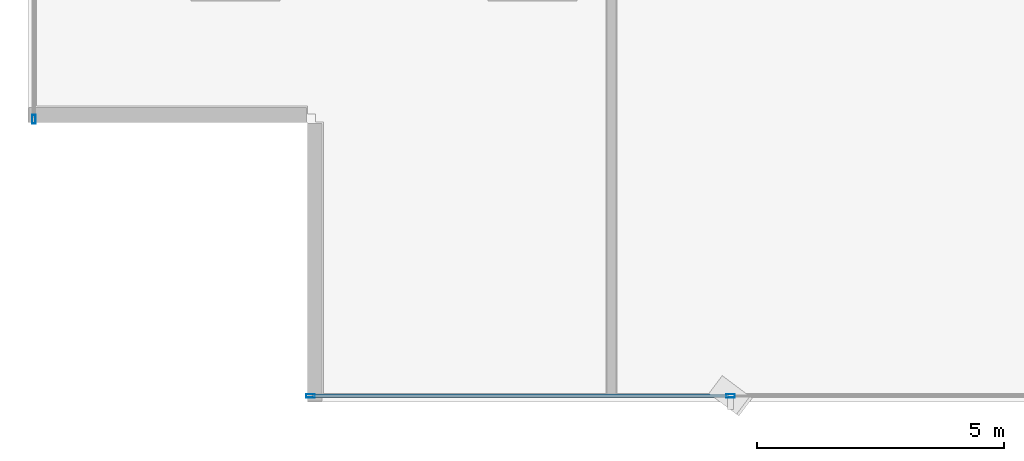
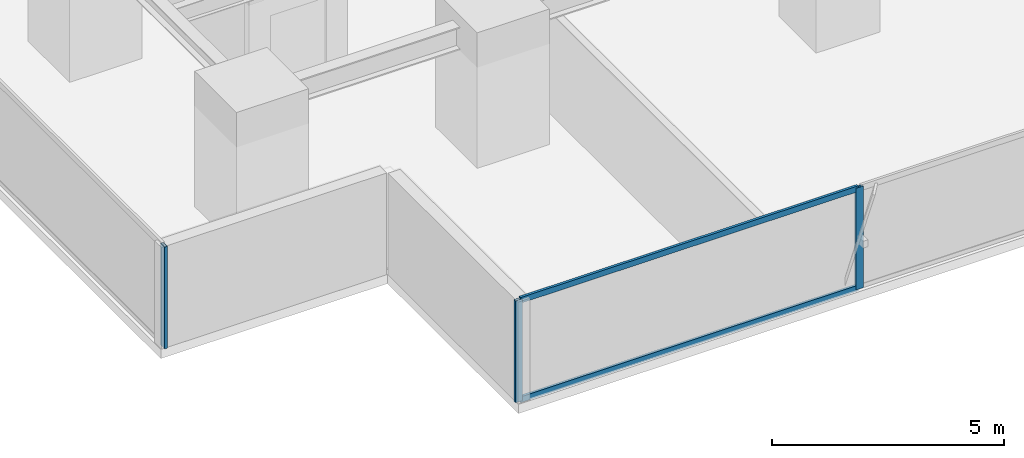
# One storey, part 2 of 33: 5 members, 2 elements without a shape of their own.
"""IFC4 building model written with IfcOpenShell, lengths in metres."""

from ifc_helpers import new_model, si_unit, direction, frame, origin, origin_2d, place, context, subcontext, project, spatial, hollow_rectangle, extrude, source, transform, mapped, material, layer, layer_set, material_profile, profile_set, type_object, element, aggregate, save


model = new_model("IFC4")

# Units and contexts
model_context = context("Model", 3, precision=1e-05, world=origin(), true_north=direction((0.0, 1.0)))
body_context = subcontext(model_context, "Body", "Model", "MODEL_VIEW")
ifc_project = project(units=[si_unit("LENGTHUNIT", "METRE"), si_unit("AREAUNIT", "SQUARE_METRE"), si_unit("VOLUMEUNIT", "CUBIC_METRE"), si_unit("PLANEANGLEUNIT", "RADIAN"), si_unit("MASSUNIT", "GRAM", prefix="KILO")], contexts=[model_context])

# Site, building, storey
site_placement = place(None, origin())
site = spatial("IfcSite", under=ifc_project, at=site_placement, CompositionType="ELEMENT")
building_placement = place(site_placement, origin())
building = spatial("IfcBuilding", under=site, at=building_placement, Name="Sumidabori Civic Tower", CompositionType="ELEMENT")
storey_placement = place(building_placement, frame((0.0, 0.0, 66.800048828125)))
storey = spatial("IfcBuildingStorey", under=building, at=storey_placement, Name="L17", CompositionType="ELEMENT", Elevation=66.800048828125)

# Curtain wall, members
ifc_material = material(Name="Anodised Bronze Aluminium AW-6063-T6", Category="aluminium")
ifc_layer = layer(ifc_material, 0.179931640625, Name="Anodised Bronze Aluminium AW-6063-T6")
ifc_layer_set = layer_set([ifc_layer], Name="Anodised Bronze Aluminium AW-6063-T6")
curtain_wall_type = type_object("IfcCurtainWallType", Name="CW-SYS-2", PredefinedType="NOTDEFINED", material=ifc_layer_set)
curtain_wall_1_placement = place(storey_placement, origin())
curtain_wall_1 = element("IfcCurtainWall", 1, at=curtain_wall_1_placement, inside=storey, type_object=curtain_wall_type, Name="Curtain Wall CW:L17:R01", PredefinedType="NOTDEFINED")
ifc_material_profile_1 = material_profile(ifc_material, hollow_rectangle(XDim=0.06494140625, YDim=0.14990234375, WallThickness=0.0048828125, at=origin_2d()), Name="ALU TRANSOM 150x65")
ifc_profile_set_1 = profile_set([ifc_material_profile_1], Name="Anodised Bronze Aluminium AW-6063-T6")
member_type_1 = type_object("IfcMemberType", Name="CW-TRN-150", PredefinedType="USERDEFINED", material=ifc_profile_set_1)
shared_shape_1 = source(origin(), body_context, "Body", "SweptSolid", [
    extrude(hollow_rectangle(XDim=0.06494140625, YDim=0.14990234375, WallThickness=0.0048828125, at=origin_2d()), origin(), (0.0, 0.0, 1.0), 8.423095703125),
])
member_1_placement = place(storey_placement, frame((-21.25, -26.8798828125, 0.032470703125), z_axis=(1.0, 0.0, 0.0), x_axis=(0.0, 1.0, 0.0)))
member_1 = element("IfcMember", 2, at=member_1_placement, type_object=member_type_1, Name="CW-2 transom 1.1", ObjectType="TRANSOM", PredefinedType="USERDEFINED", context=body_context, shape_type="MappedRepresentation", body=[
    mapped(shared_shape_1, transform((0.0, 0.0, 0.0), x_axis=(1.0, 0.0, 0.0), y_axis=(0.0, 1.0, 0.0), z_axis=(0.0, 0.0, 1.0), scale=1.0)),
])
member_2_placement = place(storey_placement, frame((-21.25, -26.8798828125, 2.6474609375), z_axis=(1.0, 0.0, 0.0), x_axis=(0.0, 1.0, 0.0)))
member_2 = element("IfcMember", 3, at=member_2_placement, type_object=member_type_1, Name="CW-2 transom 1.2", ObjectType="TRANSOM", PredefinedType="USERDEFINED", context=body_context, shape_type="MappedRepresentation", body=[
    mapped(shared_shape_1, transform((0.0, 0.0, 0.0), x_axis=(1.0, 0.0, 0.0), y_axis=(0.0, 1.0, 0.0), z_axis=(0.0, 0.0, 1.0), scale=1.0)),
])
ifc_material_profile_2 = material_profile(ifc_material, hollow_rectangle(XDim=0.070068359375, YDim=0.179931640625, WallThickness=0.006103515625, at=origin_2d()), Name="ALU MULLION 180x70")
ifc_profile_set_2 = profile_set([ifc_material_profile_2], Name="Anodised Bronze Aluminium AW-6063-T6")
member_type_2 = type_object("IfcMemberType", Name="CW-MUL-180", PredefinedType="MULLION", material=ifc_profile_set_2)
shared_shape_2 = source(origin(), body_context, "Body", "SweptSolid", [
    extrude(hollow_rectangle(XDim=0.070068359375, YDim=0.179931640625, WallThickness=0.006103515625, at=origin_2d()), origin(), (0.0, 0.0, 1.0), 2.679931640625),
])
member_3_placement = place(storey_placement, frame((-21.284912109375, -26.8798828125, 0.0), z_axis=(0.0, 0.0, 1.0), x_axis=(0.0, 1.0, 0.0)))
member_3 = element("IfcMember", 4, at=member_3_placement, type_object=member_type_2, Name="CW-2 mullion 1", PredefinedType="MULLION", context=body_context, shape_type="MappedRepresentation", body=[
    mapped(shared_shape_2, transform((0.0, 0.0, 0.0), x_axis=(1.0, 0.0, 0.0), y_axis=(0.0, 1.0, 0.0), z_axis=(0.0, 0.0, 1.0), scale=1.0)),
])
member_4_placement = place(storey_placement, frame((-12.7919921875, -26.8798828125, 0.0), z_axis=(0.0, 0.0, 1.0), x_axis=(0.0, 1.0, 0.0)))
member_4 = element("IfcMember", 5, at=member_4_placement, type_object=member_type_2, Name="CW-2 mullion 2", PredefinedType="MULLION", context=body_context, shape_type="MappedRepresentation", body=[
    mapped(shared_shape_2, transform((0.0, 0.0, 0.0), x_axis=(1.0, 0.0, 0.0), y_axis=(0.0, 1.0, 0.0), z_axis=(0.0, 0.0, 1.0), scale=1.0)),
])
aggregate(curtain_wall_1, [member_3, member_4, member_1, member_2])

# Curtain wall, member
curtain_wall_2_placement = place(storey_placement, origin())
curtain_wall_2 = element("IfcCurtainWall", 6, at=curtain_wall_2_placement, inside=storey, type_object=curtain_wall_type, Name="Curtain Wall CW:L17:R10", PredefinedType="NOTDEFINED")
member_5_placement = place(storey_placement, frame((-26.8798828125, -21.284912109375, 0.0), z_axis=(0.0, 0.0, 1.0), x_axis=(1.0, 0.0, 0.0)))
member_5 = element("IfcMember", 7, at=member_5_placement, type_object=member_type_2, Name="CW-2 mullion 6", PredefinedType="MULLION", context=body_context, shape_type="MappedRepresentation", body=[
    mapped(shared_shape_2, transform((0.0, 0.0, 0.0), x_axis=(1.0, 0.0, 0.0), y_axis=(0.0, 1.0, 0.0), z_axis=(0.0, 0.0, 1.0), scale=1.0)),
])
aggregate(curtain_wall_2, [member_5])

save(model, "model.ifc")
